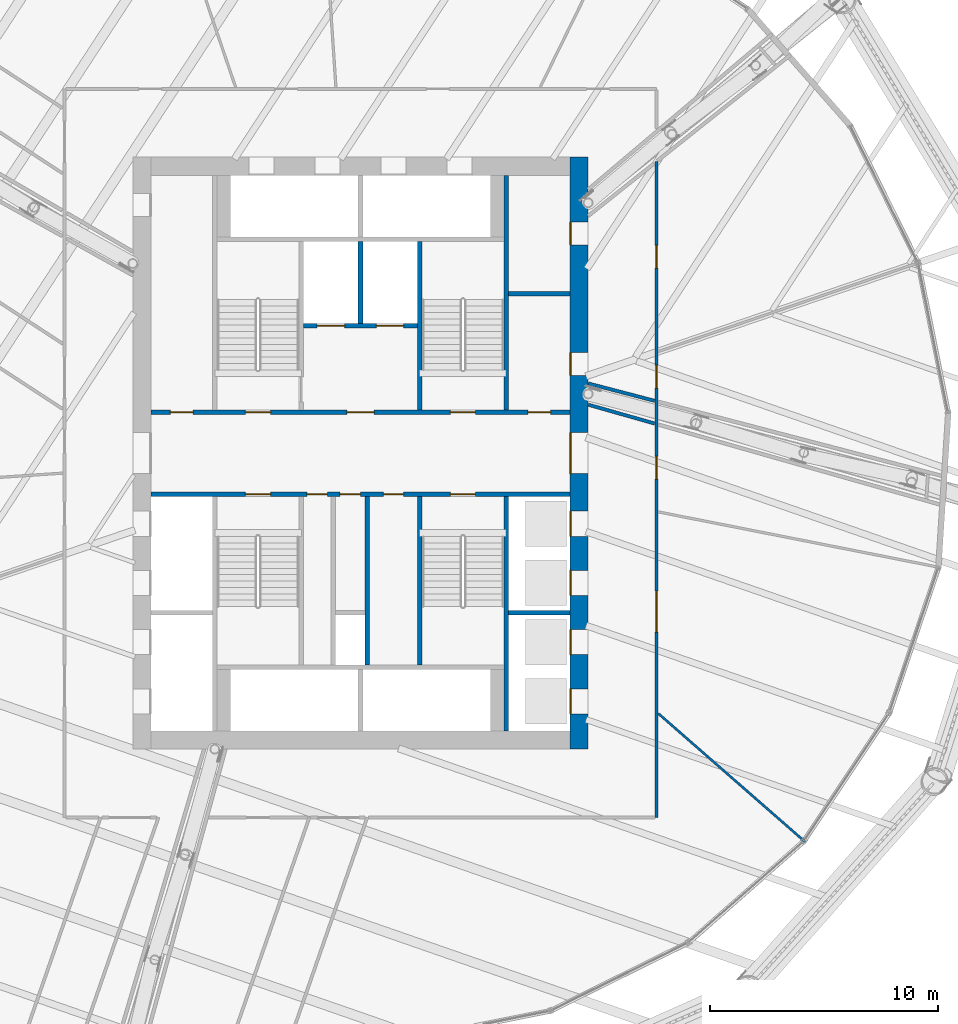
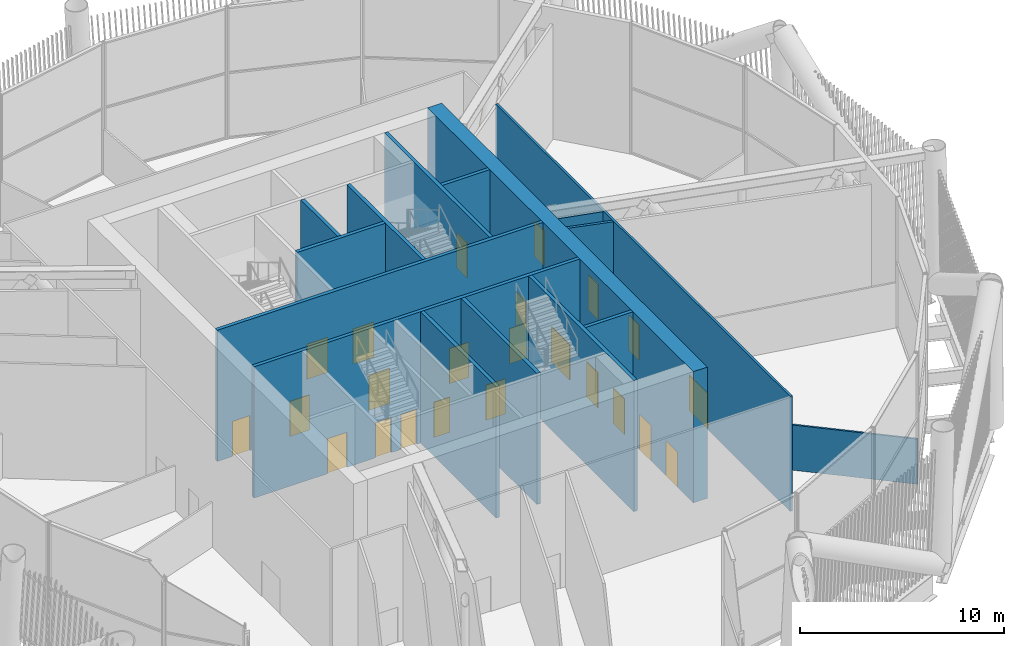
# One storey, part 40 of 63: 23 doors, 16 walls, 23 openings.
"""IFC4 building model written with IfcOpenShell, lengths in metres."""

from ifc_helpers import new_model, si_unit, direction, frame, frame_2d, origin, place, context, subcontext, project, spatial, rectangle, extrude, material, layer, layer_set, type_object, element, fill, save


model = new_model("IFC4")

# Units and contexts
model_context = context("Model", 3, precision=1e-05, world=origin(), true_north=direction((0.0, 1.0)))
body_context = subcontext(model_context, "Body", "Model", "MODEL_VIEW")
ifc_project = project(units=[si_unit("LENGTHUNIT", "METRE"), si_unit("AREAUNIT", "SQUARE_METRE"), si_unit("VOLUMEUNIT", "CUBIC_METRE"), si_unit("PLANEANGLEUNIT", "RADIAN"), si_unit("MASSUNIT", "GRAM", prefix="KILO")], contexts=[model_context])

# Site, building, storey
site_placement = place(None, origin())
site = spatial("IfcSite", under=ifc_project, at=site_placement, CompositionType="ELEMENT")
building_placement = place(site_placement, origin())
building = spatial("IfcBuilding", under=site, at=building_placement, Name="Tarsis Ring Headquarters", CompositionType="ELEMENT")
storey_placement = place(building_placement, frame((0.0, 0.0, 139.60009765625)))
storey = spatial("IfcBuildingStorey", under=building, at=storey_placement, Name="L32", CompositionType="ELEMENT", Elevation=139.60009765625)

# Walls
ifc_material_1 = material(Name="Blockwork", Category="masonry")
ifc_layer_1 = layer(ifc_material_1, 0.199951171875)
ifc_layer_set_1 = layer_set([ifc_layer_1], Name="Core blockwork wall 200")
wall_type_1 = type_object("IfcWallType", Name="Core blockwork wall 200", PredefinedType="PARTITIONING", material=ifc_layer_set_1)
wall_1_placement = place(storey_placement, frame((6.5, 7.0, 0.0), z_axis=(0.0, 0.0, 1.0), x_axis=(1.0, 0.0, 0.0)))
element("IfcWall", 1, at=wall_1_placement, inside=storey, type_object=wall_type_1, Name="Core partition ED6", PredefinedType="PARTITIONING", context=body_context, shape_type="SweptSolid", body=[
    extrude(rectangle(XDim=2.699951171875, YDim=0.199951171875, at=frame_2d((1.35009765625, 0.0))), origin(), (0.0, 0.0, 1.0), 7.83984375),
])
wall_2_placement = place(storey_placement, frame((0.300048828125, -9.300048828125, 0.0), z_axis=(0.0, 0.0, 1.0), x_axis=(0.0, 1.0, 0.0)))
element("IfcWall", 2, at=wall_2_placement, inside=storey, type_object=wall_type_1, Name="Core partition SV2", PredefinedType="PARTITIONING", context=body_context, shape_type="SweptSolid", body=[
    extrude(rectangle(XDim=7.400146484375, YDim=0.199951171875, at=frame_2d((3.7001953125, 0.0))), origin(), (0.0, 0.0, 1.0), 7.83984375),
])

# Wall, openings, doors
ifc_material_2 = material(Name="Concrete C60/75", Category="concrete")
ifc_layer_2 = layer(ifc_material_2, 0.800048828125)
ifc_layer_set_2 = layer_set([ifc_layer_2], Name="Core wall 800 C60/75")
wall_type_2 = type_object("IfcWallType", Name="Core wall 800 C60/75", PredefinedType="SHEAR", material=ifc_layer_set_2)
wall_3_placement = place(storey_placement, frame((9.60009765625, -13.0, 0.0), z_axis=(0.0, 0.0, 1.0), x_axis=(0.0, 1.0, 0.0)))
wall_3 = element("IfcWall", 3, at=wall_3_placement, inside=storey, type_object=wall_type_2, Name="Core wall OE", PredefinedType="SHEAR", context=body_context, shape_type="SweptSolid", body=[
    extrude(rectangle(XDim=26.0, YDim=0.800048828125, at=frame_2d((13.0, 0.0))), origin(), (0.0, 0.0, 1.0), 7.83984375),
])
opening_1_placement = place(wall_3_placement, frame((1.550048828125, 0.0, 0.0)))
opening_1 = element("IfcOpeningElement", 4, at=opening_1_placement, cuts=wall_3, Name="Opening LD-MR1", PredefinedType="OPENING", context=body_context, shape_type="SweptSolid", body=[
    extrude(rectangle(XDim=1.10009765625, YDim=2.10009765625, at=frame_2d((0.550048828125, 1.050048828125))), frame((0.0, 0.409912109375, 0.0), z_axis=(0.0, -1.0, 0.0), x_axis=(1.0, 0.0, 0.0)), (0.0, 0.0, 1.0), 0.820068359375),
])
opening_2_placement = place(wall_3_placement, frame((4.14990234375, 0.0, 0.0)))
opening_2 = element("IfcOpeningElement", 5, at=opening_2_placement, cuts=wall_3, Name="Opening LD-MR2", PredefinedType="OPENING", context=body_context, shape_type="SweptSolid", body=[
    extrude(rectangle(XDim=1.10009765625, YDim=2.10009765625, at=frame_2d((0.550048828125, 1.050048828125))), frame((0.0, 0.409912109375, 0.0), z_axis=(0.0, -1.0, 0.0), x_axis=(1.0, 0.0, 0.0)), (0.0, 0.0, 1.0), 0.820068359375),
])
opening_3_placement = place(wall_3_placement, frame((6.75, 0.0, 0.0)))
opening_3 = element("IfcOpeningElement", 6, at=opening_3_placement, cuts=wall_3, Name="Opening LD-MR3", PredefinedType="OPENING", context=body_context, shape_type="SweptSolid", body=[
    extrude(rectangle(XDim=1.10009765625, YDim=2.10009765625, at=frame_2d((0.550048828125, 1.050048828125))), frame((0.0, 0.409912109375, 0.0), z_axis=(0.0, -1.0, 0.0), x_axis=(1.0, 0.0, 0.0)), (0.0, 0.0, 1.0), 0.820068359375),
])
opening_4_placement = place(wall_3_placement, frame((9.35009765625, 0.0, 0.0)))
opening_4 = element("IfcOpeningElement", 7, at=opening_4_placement, cuts=wall_3, Name="Opening LD-MR4", PredefinedType="OPENING", context=body_context, shape_type="SweptSolid", body=[
    extrude(rectangle(XDim=1.10009765625, YDim=2.10009765625, at=frame_2d((0.550048828125, 1.050048828125))), frame((0.0, 0.409912109375, 0.0), z_axis=(0.0, -1.0, 0.0), x_axis=(1.0, 0.0, 0.0)), (0.0, 0.0, 1.0), 0.820068359375),
])
opening_5_placement = place(wall_3_placement, frame((12.10009765625, 0.0, 0.0)))
opening_5 = element("IfcOpeningElement", 8, at=opening_5_placement, cuts=wall_3, Name="Opening L32-C11", PredefinedType="OPENING", context=body_context, shape_type="SweptSolid", body=[
    extrude(rectangle(XDim=1.800048828125, YDim=2.10009765625, at=frame_2d((0.89990234375, 1.050048828125))), frame((0.0, 0.409912109375, 0.0), z_axis=(0.0, -1.0, 0.0), x_axis=(1.0, 0.0, 0.0)), (0.0, 0.0, 1.0), 0.820068359375),
])
opening_6_placement = place(wall_3_placement, frame((16.41796875, 0.0, 0.0)))
opening_6 = element("IfcOpeningElement", 9, at=opening_6_placement, cuts=wall_3, Name="Opening L32-C12", PredefinedType="OPENING", context=body_context, shape_type="SweptSolid", body=[
    extrude(rectangle(XDim=1.0, YDim=2.10009765625, at=frame_2d((0.5, 1.050048828125))), frame((0.0, 0.409912109375, 0.0), z_axis=(0.0, -1.0, 0.0), x_axis=(1.0, 0.0, 0.0)), (0.0, 0.0, 1.0), 0.820068359375),
])
opening_7_placement = place(wall_3_placement, frame((22.14990234375, 0.0, 0.0)))
opening_7 = element("IfcOpeningElement", 10, at=opening_7_placement, cuts=wall_3, Name="Opening L32-C13", PredefinedType="OPENING", context=body_context, shape_type="SweptSolid", body=[
    extrude(rectangle(XDim=1.0, YDim=2.10009765625, at=frame_2d((0.5, 1.050048828125))), frame((0.0, 0.409912109375, 0.0), z_axis=(0.0, -1.0, 0.0), x_axis=(1.0, 0.0, 0.0)), (0.0, 0.0, 1.0), 0.820068359375),
])
ifc_material_3 = material(Name="Steel S355", Category="steel")
door_type_1 = type_object("IfcDoorType", Name="Core entry door 1800x2100", OperationType="DOUBLE_DOOR_SINGLE_SWING", PredefinedType="DOOR", material=ifc_material_3)
door_1_placement = place(opening_5_placement, origin())
door_1 = element("IfcDoor", 11, at=door_1_placement, inside=storey, type_object=door_type_1, Name="Core entry door L32", OperationType="DOUBLE_DOOR_SINGLE_SWING", OverallHeight=2.10009765625, OverallWidth=1.800048828125, PredefinedType="DOOR", context=body_context, shape_type="SweptSolid", body=[
    extrude(rectangle(XDim=1.800048828125, YDim=2.10009765625, at=frame_2d((0.89990234375, 1.050048828125))), frame((0.0, 0.39990234375, 0.0), z_axis=(0.0, -1.0, 0.0), x_axis=(1.0, 0.0, 0.0)), (0.0, 0.0, 1.0), 0.050048828125),
])
fill(opening_5, door_1)
door_type_2 = type_object("IfcDoorType", Name="Core room door 1000x2100", OperationType="SINGLE_SWING_LEFT", PredefinedType="DOOR", material=ifc_material_3)
door_2_placement = place(opening_6_placement, origin())
door_2 = element("IfcDoor", 12, at=door_2_placement, inside=storey, type_object=door_type_2, Name="Core room door L32", OperationType="SINGLE_SWING_LEFT", OverallHeight=2.10009765625, OverallWidth=1.0, PredefinedType="DOOR", context=body_context, shape_type="SweptSolid", body=[
    extrude(rectangle(XDim=1.0, YDim=2.10009765625, at=frame_2d((0.5, 1.050048828125))), frame((0.0, 0.39990234375, 0.0), z_axis=(0.0, -1.0, 0.0), x_axis=(1.0, 0.0, 0.0)), (0.0, 0.0, 1.0), 0.050048828125),
])
fill(opening_6, door_2)
door_3_placement = place(opening_7_placement, origin())
door_3 = element("IfcDoor", 13, at=door_3_placement, inside=storey, type_object=door_type_2, Name="Core room door L32", OperationType="SINGLE_SWING_LEFT", OverallHeight=2.10009765625, OverallWidth=1.0, PredefinedType="DOOR", context=body_context, shape_type="SweptSolid", body=[
    extrude(rectangle(XDim=1.0, YDim=2.10009765625, at=frame_2d((0.5, 1.050048828125))), frame((0.0, 0.39990234375, 0.0), z_axis=(0.0, -1.0, 0.0), x_axis=(1.0, 0.0, 0.0)), (0.0, 0.0, 1.0), 0.050048828125),
])
fill(opening_7, door_3)
door_type_3 = type_object("IfcDoorType", Name="Landing door 1100x2100", OperationType="SLIDING_TO_LEFT", PredefinedType="DOOR", material=ifc_material_3)
door_4_placement = place(opening_1_placement, origin())
door_4 = element("IfcDoor", 14, at=door_4_placement, inside=storey, type_object=door_type_3, Name="Landing door MR1 L32", OperationType="SLIDING_TO_LEFT", OverallHeight=2.10009765625, OverallWidth=1.10009765625, PredefinedType="DOOR", context=body_context, shape_type="SweptSolid", body=[
    extrude(rectangle(XDim=1.10009765625, YDim=2.10009765625, at=frame_2d((0.550048828125, 1.050048828125))), frame((0.0, 0.39990234375, 0.0), z_axis=(0.0, -1.0, 0.0), x_axis=(1.0, 0.0, 0.0)), (0.0, 0.0, 1.0), 0.050048828125),
])
fill(opening_1, door_4)
door_5_placement = place(opening_2_placement, origin())
door_5 = element("IfcDoor", 15, at=door_5_placement, inside=storey, type_object=door_type_3, Name="Landing door MR2 L32", OperationType="SLIDING_TO_LEFT", OverallHeight=2.10009765625, OverallWidth=1.10009765625, PredefinedType="DOOR", context=body_context, shape_type="SweptSolid", body=[
    extrude(rectangle(XDim=1.10009765625, YDim=2.10009765625, at=frame_2d((0.550048828125, 1.050048828125))), frame((0.0, 0.39990234375, 0.0), z_axis=(0.0, -1.0, 0.0), x_axis=(1.0, 0.0, 0.0)), (0.0, 0.0, 1.0), 0.050048828125),
])
fill(opening_2, door_5)
door_6_placement = place(opening_3_placement, origin())
door_6 = element("IfcDoor", 16, at=door_6_placement, inside=storey, type_object=door_type_3, Name="Landing door MR3 L32", OperationType="SLIDING_TO_LEFT", OverallHeight=2.10009765625, OverallWidth=1.10009765625, PredefinedType="DOOR", context=body_context, shape_type="SweptSolid", body=[
    extrude(rectangle(XDim=1.10009765625, YDim=2.10009765625, at=frame_2d((0.550048828125, 1.050048828125))), frame((0.0, 0.39990234375, 0.0), z_axis=(0.0, -1.0, 0.0), x_axis=(1.0, 0.0, 0.0)), (0.0, 0.0, 1.0), 0.050048828125),
])
fill(opening_3, door_6)
door_7_placement = place(opening_4_placement, origin())
door_7 = element("IfcDoor", 17, at=door_7_placement, inside=storey, type_object=door_type_3, Name="Landing door MR4 L32", OperationType="SLIDING_TO_LEFT", OverallHeight=2.10009765625, OverallWidth=1.10009765625, PredefinedType="DOOR", context=body_context, shape_type="SweptSolid", body=[
    extrude(rectangle(XDim=1.10009765625, YDim=2.10009765625, at=frame_2d((0.550048828125, 1.050048828125))), frame((0.0, 0.39990234375, 0.0), z_axis=(0.0, -1.0, 0.0), x_axis=(1.0, 0.0, 0.0)), (0.0, 0.0, 1.0), 0.050048828125),
])
fill(opening_4, door_7)

# Wall
ifc_material_4 = material(Name="Gypsum board on steel studs", Category="steel")
ifc_layer_3 = layer(ifc_material_4, 0.10009765625)
ifc_layer_set_3 = layer_set([ifc_layer_3], Name="FL partition 100 unrated")
wall_type_3 = type_object("IfcWallType", Name="FL partition 100 unrated", PredefinedType="PARTITIONING", material=ifc_layer_set_3)
wall_4_placement = place(storey_placement, frame((13.082763671875, -11.43701171875, 0.0), z_axis=(0.0, 0.0, 1.0), x_axis=(0.752876598587, -0.658161703003, 0.0)))
element("IfcWall", 18, at=wall_4_placement, inside=storey, type_object=wall_type_3, Name="Partition PW3", PredefinedType="PARTITIONING", context=body_context, shape_type="SweptSolid", body=[
    extrude(rectangle(XDim=8.570556640625, YDim=0.10009765625, at=frame_2d((4.28515625, 0.0))), origin(), (0.0, 0.0, 1.0), 2.699951171875),
])

# Wall, openings, doors
ifc_layer_4 = layer(ifc_material_4, 0.125)
ifc_layer_set_4 = layer_set([ifc_layer_4], Name="FL partition 125 EI 60 H6870")
wall_type_4 = type_object("IfcWallType", Name="FL partition 125 EI 60 H6870", PredefinedType="PARTITIONING", material=ifc_layer_set_4)
wall_5_placement = place(storey_placement, frame((13.0, -15.998046875, 0.0), z_axis=(0.0, 0.0, 1.0), x_axis=(0.0, 1.0, 0.0)))
wall_5 = element("IfcWall", 19, at=wall_5_placement, inside=storey, type_object=wall_type_4, Name="Partition PW1H687", PredefinedType="PARTITIONING", context=body_context, shape_type="SweptSolid", body=[
    extrude(rectangle(XDim=28.8056640625, YDim=0.125, at=frame_2d((14.40283203125, 0.0))), origin(), (0.0, 0.0, 1.0), 6.869873046875),
])
opening_8_placement = place(wall_5_placement, frame((24.11962890625, 0.0, 0.0)))
opening_8 = element("IfcOpeningElement", 20, at=opening_8_placement, cuts=wall_5, Name="Opening D32.09", PredefinedType="OPENING", context=body_context, shape_type="SweptSolid", body=[
    extrude(rectangle(XDim=1.0, YDim=2.10009765625, at=frame_2d((0.5, 1.050048828125))), frame((0.0, 0.072509765625, 0.0), z_axis=(0.0, -1.0, 0.0), x_axis=(1.0, 0.0, 0.0)), (0.0, 0.0, 1.0), 0.14501953125),
])
opening_9_placement = place(wall_5_placement, frame((18.856201171875, 0.0, 0.0)))
opening_9 = element("IfcOpeningElement", 21, at=opening_9_placement, cuts=wall_5, Name="Opening D32.10", PredefinedType="OPENING", context=body_context, shape_type="SweptSolid", body=[
    extrude(rectangle(XDim=1.0, YDim=2.10009765625, at=frame_2d((0.5, 1.050048828125))), frame((0.0, 0.072509765625, 0.0), z_axis=(0.0, -1.0, 0.0), x_axis=(1.0, 0.0, 0.0)), (0.0, 0.0, 1.0), 0.14501953125),
])
opening_10_placement = place(wall_5_placement, frame((8.13330078125, 0.0, 0.0)))
opening_10 = element("IfcOpeningElement", 22, at=opening_10_placement, cuts=wall_5, Name="Opening D32.11", PredefinedType="OPENING", context=body_context, shape_type="SweptSolid", body=[
    extrude(rectangle(XDim=1.800048828125, YDim=2.10009765625, at=frame_2d((0.89990234375, 1.050048828125))), frame((0.0, 0.072509765625, 0.0), z_axis=(0.0, -1.0, 0.0), x_axis=(1.0, 0.0, 0.0)), (0.0, 0.0, 1.0), 0.14501953125),
])
opening_11_placement = place(wall_5_placement, frame((14.85595703125, 0.0, 0.0)))
opening_11 = element("IfcOpeningElement", 23, at=opening_11_placement, cuts=wall_5, Name="Opening D32.13", PredefinedType="OPENING", context=body_context, shape_type="SweptSolid", body=[
    extrude(rectangle(XDim=1.0, YDim=2.10009765625, at=frame_2d((0.5, 1.050048828125))), frame((0.0, 0.072509765625, 0.0), z_axis=(0.0, -1.0, 0.0), x_axis=(1.0, 0.0, 0.0)), (0.0, 0.0, 1.0), 0.14501953125),
])
ifc_material_5 = material(Name="Fire-rated timber door leaf in steel frame", Category="steel")
door_type_4 = type_object("IfcDoorType", Name="FL door FD60-1000", OperationType="NOTDEFINED", PredefinedType="DOOR", material=ifc_material_5)
door_8_placement = place(opening_8_placement, origin())
door_8 = element("IfcDoor", 24, at=door_8_placement, inside=storey, type_object=door_type_4, Name="Door D32.09", OperationType="SINGLE_SWING_LEFT", OverallHeight=2.10009765625, OverallWidth=1.0, PredefinedType="DOOR", context=body_context, shape_type="SweptSolid", body=[
    extrude(rectangle(XDim=1.0, YDim=2.10009765625, at=frame_2d((0.5, 1.050048828125))), frame((0.0, 0.02490234375, 0.0), z_axis=(0.0, -1.0, 0.0), x_axis=(1.0, 0.0, 0.0)), (0.0, 0.0, 1.0), 0.050048828125),
])
fill(opening_8, door_8)
door_9_placement = place(opening_9_placement, origin())
door_9 = element("IfcDoor", 25, at=door_9_placement, inside=storey, type_object=door_type_4, Name="Door D32.10", OperationType="SINGLE_SWING_RIGHT", OverallHeight=2.10009765625, OverallWidth=1.0, PredefinedType="DOOR", context=body_context, shape_type="SweptSolid", body=[
    extrude(rectangle(XDim=1.0, YDim=2.10009765625, at=frame_2d((0.5, 1.050048828125))), frame((0.0, 0.02490234375, 0.0), z_axis=(0.0, -1.0, 0.0), x_axis=(1.0, 0.0, 0.0)), (0.0, 0.0, 1.0), 0.050048828125),
])
fill(opening_9, door_9)
door_10_placement = place(opening_11_placement, origin())
door_10 = element("IfcDoor", 26, at=door_10_placement, inside=storey, type_object=door_type_4, Name="Door D32.13", OperationType="SINGLE_SWING_LEFT", OverallHeight=2.10009765625, OverallWidth=1.0, PredefinedType="DOOR", context=body_context, shape_type="SweptSolid", body=[
    extrude(rectangle(XDim=1.0, YDim=2.10009765625, at=frame_2d((0.5, 1.050048828125))), frame((0.0, 0.02490234375, 0.0), z_axis=(0.0, -1.0, 0.0), x_axis=(1.0, 0.0, 0.0)), (0.0, 0.0, 1.0), 0.050048828125),
])
fill(opening_11, door_10)
door_type_5 = type_object("IfcDoorType", Name="FL door FD60-1800", OperationType="DOUBLE_DOOR_SINGLE_SWING", PredefinedType="DOOR", material=ifc_material_5)
door_11_placement = place(opening_10_placement, origin())
door_11 = element("IfcDoor", 27, at=door_11_placement, inside=storey, type_object=door_type_5, Name="Door D32.11", OperationType="DOUBLE_DOOR_SINGLE_SWING", OverallHeight=2.10009765625, OverallWidth=1.800048828125, PredefinedType="DOOR", context=body_context, shape_type="SweptSolid", body=[
    extrude(rectangle(XDim=1.800048828125, YDim=2.10009765625, at=frame_2d((0.89990234375, 1.050048828125))), frame((0.0, 0.02490234375, 0.0), z_axis=(0.0, -1.0, 0.0), x_axis=(1.0, 0.0, 0.0)), (0.0, 0.0, 1.0), 0.050048828125),
])
fill(opening_10, door_11)

# Walls
ifc_layer_5 = layer(ifc_material_4, 0.14990234375)
ifc_layer_set_5 = layer_set([ifc_layer_5], Name="FL partition 150 EI 120 H6870")
wall_type_5 = type_object("IfcWallType", Name="FL partition 150 EI 120 H6870", PredefinedType="PARTITIONING", material=ifc_layer_set_5)
wall_6_placement = place(storey_placement, frame((9.999267578125, 2.129638671875, 0.0), z_axis=(0.0, 0.0, 1.0), x_axis=(0.961981270275, -0.273115425491, 0.0)))
element("IfcWall", 28, at=wall_6_placement, inside=storey, type_object=wall_type_5, Name="Partition PW2H687", PredefinedType="PARTITIONING", context=body_context, shape_type="SweptSolid", body=[
    extrude(rectangle(XDim=3.032958984375, YDim=0.14990234375, at=frame_2d((1.5166015625, 0.0))), origin(), (0.0, 0.0, 1.0), 6.869873046875),
])
wall_7_placement = place(storey_placement, frame((9.998779296875, 3.060791015625, 0.0), z_axis=(0.0, 0.0, 1.0), x_axis=(0.967473645291, -0.252971827814, 0.0)))
element("IfcWall", 29, at=wall_7_placement, inside=storey, type_object=wall_type_5, Name="Partition PW2H687", PredefinedType="PARTITIONING", context=body_context, shape_type="SweptSolid", body=[
    extrude(rectangle(XDim=3.017822265625, YDim=0.14990234375, at=frame_2d((1.5087890625, 0.0))), origin(), (0.0, 0.0, 1.0), 6.869873046875),
])

# Wall, openings, doors
ifc_material_6 = material(Name="Concrete C32/40", Category="concrete")
ifc_layer_6 = layer(ifc_material_6, 0.199951171875)
ifc_layer_set_6 = layer_set([ifc_layer_6], Name="Shaft wall 200 C32/40")
wall_type_6 = type_object("IfcWallType", Name="Shaft wall 200 C32/40", PredefinedType="SOLIDWALL", material=ifc_layer_set_6)
wall_8_placement = place(storey_placement, frame((-9.199951171875, 1.800048828125, 0.0), z_axis=(0.0, 0.0, 1.0), x_axis=(1.0, 0.0, 0.0)))
wall_8 = element("IfcWall", 30, at=wall_8_placement, inside=storey, type_object=wall_type_6, Name="Core shaft wall CN", PredefinedType="SOLIDWALL", context=body_context, shape_type="SweptSolid", body=[
    extrude(rectangle(XDim=18.39990234375, YDim=0.199951171875, at=frame_2d((9.199951171875, 0.0))), origin(), (0.0, 0.0, 1.0), 7.83984375),
])
opening_12_placement = place(wall_8_placement, frame((0.85009765625, 0.0, 0.0)))
opening_12 = element("IfcOpeningElement", 31, at=opening_12_placement, cuts=wall_8, Name="Opening L32-C18", PredefinedType="OPENING", context=body_context, shape_type="SweptSolid", body=[
    extrude(rectangle(XDim=1.0, YDim=2.10009765625, at=frame_2d((0.5, 1.050048828125))), frame((0.0, 0.10986328125, 0.0), z_axis=(0.0, -1.0, 0.0), x_axis=(1.0, 0.0, 0.0)), (0.0, 0.0, 1.0), 0.219970703125),
])
opening_13_placement = place(wall_8_placement, frame((4.14990234375, 0.0, 0.0)))
opening_13 = element("IfcOpeningElement", 32, at=opening_13_placement, cuts=wall_8, Name="Opening L32-C19", PredefinedType="OPENING", context=body_context, shape_type="SweptSolid", body=[
    extrude(rectangle(XDim=1.10009765625, YDim=2.10009765625, at=frame_2d((0.550048828125, 1.050048828125))), frame((0.0, 0.10986328125, 0.0), z_axis=(0.0, -1.0, 0.0), x_axis=(1.0, 0.0, 0.0)), (0.0, 0.0, 1.0), 0.219970703125),
])
opening_14_placement = place(wall_8_placement, frame((8.60009765625, 0.0, 0.0)))
opening_14 = element("IfcOpeningElement", 33, at=opening_14_placement, cuts=wall_8, Name="Opening L32-C20", PredefinedType="OPENING", context=body_context, shape_type="SweptSolid", body=[
    extrude(rectangle(XDim=1.199951171875, YDim=2.10009765625, at=frame_2d((0.60009765625, 1.050048828125))), frame((0.0, 0.10986328125, 0.0), z_axis=(0.0, -1.0, 0.0), x_axis=(1.0, 0.0, 0.0)), (0.0, 0.0, 1.0), 0.219970703125),
])
opening_15_placement = place(wall_8_placement, frame((13.14990234375, 0.0, 0.0)))
opening_15 = element("IfcOpeningElement", 34, at=opening_15_placement, cuts=wall_8, Name="Opening L32-C21", PredefinedType="OPENING", context=body_context, shape_type="SweptSolid", body=[
    extrude(rectangle(XDim=1.10009765625, YDim=2.10009765625, at=frame_2d((0.550048828125, 1.050048828125))), frame((0.0, 0.10986328125, 0.0), z_axis=(0.0, -1.0, 0.0), x_axis=(1.0, 0.0, 0.0)), (0.0, 0.0, 1.0), 0.219970703125),
])
opening_16_placement = place(wall_8_placement, frame((16.550048828125, 0.0, 0.0)))
opening_16 = element("IfcOpeningElement", 35, at=opening_16_placement, cuts=wall_8, Name="Opening L32-C22", PredefinedType="OPENING", context=body_context, shape_type="SweptSolid", body=[
    extrude(rectangle(XDim=1.0, YDim=2.10009765625, at=frame_2d((0.5, 1.050048828125))), frame((0.0, 0.10986328125, 0.0), z_axis=(0.0, -1.0, 0.0), x_axis=(1.0, 0.0, 0.0)), (0.0, 0.0, 1.0), 0.219970703125),
])
door_12_placement = place(opening_12_placement, origin())
door_12 = element("IfcDoor", 36, at=door_12_placement, inside=storey, type_object=door_type_2, Name="Core room door L32", OperationType="SINGLE_SWING_LEFT", OverallHeight=2.10009765625, OverallWidth=1.0, PredefinedType="DOOR", context=body_context, shape_type="SweptSolid", body=[
    extrude(rectangle(XDim=1.0, YDim=2.10009765625, at=frame_2d((0.5, 1.050048828125))), frame((0.0, 0.02490234375, 0.0), z_axis=(0.0, -1.0, 0.0), x_axis=(1.0, 0.0, 0.0)), (0.0, 0.0, 1.0), 0.050048828125),
])
fill(opening_12, door_12)
door_13_placement = place(opening_16_placement, origin())
door_13 = element("IfcDoor", 37, at=door_13_placement, inside=storey, type_object=door_type_2, Name="Core room door L32", OperationType="SINGLE_SWING_LEFT", OverallHeight=2.10009765625, OverallWidth=1.0, PredefinedType="DOOR", context=body_context, shape_type="SweptSolid", body=[
    extrude(rectangle(XDim=1.0, YDim=2.10009765625, at=frame_2d((0.5, 1.050048828125))), frame((0.0, 0.02490234375, 0.0), z_axis=(0.0, -1.0, 0.0), x_axis=(1.0, 0.0, 0.0)), (0.0, 0.0, 1.0), 0.050048828125),
])
fill(opening_16, door_13)
door_type_6 = type_object("IfcDoorType", Name="Firefighting lobby door 1200x2100", OperationType="DOUBLE_DOOR_SINGLE_SWING", PredefinedType="DOOR", material=ifc_material_3)
door_14_placement = place(opening_14_placement, origin())
door_14 = element("IfcDoor", 38, at=door_14_placement, inside=storey, type_object=door_type_6, Name="Firefighting lobby door L32", OperationType="DOUBLE_DOOR_SINGLE_SWING", OverallHeight=2.10009765625, OverallWidth=1.199951171875, PredefinedType="DOOR", context=body_context, shape_type="SweptSolid", body=[
    extrude(rectangle(XDim=1.199951171875, YDim=2.10009765625, at=frame_2d((0.60009765625, 1.050048828125))), frame((0.0, 0.02490234375, 0.0), z_axis=(0.0, -1.0, 0.0), x_axis=(1.0, 0.0, 0.0)), (0.0, 0.0, 1.0), 0.050048828125),
])
fill(opening_14, door_14)
door_type_7 = type_object("IfcDoorType", Name="Stair door 1100x2100", OperationType="SINGLE_SWING_LEFT", PredefinedType="DOOR", material=ifc_material_3)
door_15_placement = place(opening_13_placement, origin())
door_15 = element("IfcDoor", 39, at=door_15_placement, inside=storey, type_object=door_type_7, Name="Stair door L32", OperationType="SINGLE_SWING_LEFT", OverallHeight=2.10009765625, OverallWidth=1.10009765625, PredefinedType="DOOR", context=body_context, shape_type="SweptSolid", body=[
    extrude(rectangle(XDim=1.10009765625, YDim=2.10009765625, at=frame_2d((0.550048828125, 1.050048828125))), frame((0.0, 0.02490234375, 0.0), z_axis=(0.0, -1.0, 0.0), x_axis=(1.0, 0.0, 0.0)), (0.0, 0.0, 1.0), 0.050048828125),
])
fill(opening_13, door_15)
door_16_placement = place(opening_15_placement, origin())
door_16 = element("IfcDoor", 40, at=door_16_placement, inside=storey, type_object=door_type_7, Name="Stair door L32", OperationType="SINGLE_SWING_LEFT", OverallHeight=2.10009765625, OverallWidth=1.10009765625, PredefinedType="DOOR", context=body_context, shape_type="SweptSolid", body=[
    extrude(rectangle(XDim=1.10009765625, YDim=2.10009765625, at=frame_2d((0.550048828125, 1.050048828125))), frame((0.0, 0.02490234375, 0.0), z_axis=(0.0, -1.0, 0.0), x_axis=(1.0, 0.0, 0.0)), (0.0, 0.0, 1.0), 0.050048828125),
])
fill(opening_15, door_16)

wall_9_placement = place(storey_placement, frame((-9.199951171875, -1.800048828125, 0.0), z_axis=(0.0, 0.0, 1.0), x_axis=(1.0, 0.0, 0.0)))
wall_9 = element("IfcWall", 41, at=wall_9_placement, inside=storey, type_object=wall_type_6, Name="Core shaft wall CS", PredefinedType="SOLIDWALL", context=body_context, shape_type="SweptSolid", body=[
    extrude(rectangle(XDim=18.39990234375, YDim=0.199951171875, at=frame_2d((9.199951171875, 0.0))), origin(), (0.0, 0.0, 1.0), 7.83984375),
])
opening_17_placement = place(wall_9_placement, frame((4.14990234375, 0.0, 0.0)))
opening_17 = element("IfcOpeningElement", 42, at=opening_17_placement, cuts=wall_9, Name="Opening L32-C23", PredefinedType="OPENING", context=body_context, shape_type="SweptSolid", body=[
    extrude(rectangle(XDim=1.10009765625, YDim=2.10009765625, at=frame_2d((0.550048828125, 1.050048828125))), frame((0.0, 0.10986328125, 0.0), z_axis=(0.0, -1.0, 0.0), x_axis=(1.0, 0.0, 0.0)), (0.0, 0.0, 1.0), 0.219970703125),
])
opening_18_placement = place(wall_9_placement, frame((6.85009765625, 0.0, 0.0)))
opening_18 = element("IfcOpeningElement", 43, at=opening_18_placement, cuts=wall_9, Name="Opening L32-C24", PredefinedType="OPENING", context=body_context, shape_type="SweptSolid", body=[
    extrude(rectangle(XDim=0.89990234375, YDim=2.10009765625, at=frame_2d((0.449951171875, 1.050048828125))), frame((0.0, 0.10986328125, 0.0), z_axis=(0.0, -1.0, 0.0), x_axis=(1.0, 0.0, 0.0)), (0.0, 0.0, 1.0), 0.219970703125),
])
opening_19_placement = place(wall_9_placement, frame((8.300048828125, 0.0, 0.0)))
opening_19 = element("IfcOpeningElement", 44, at=opening_19_placement, cuts=wall_9, Name="Opening L32-C25", PredefinedType="OPENING", context=body_context, shape_type="SweptSolid", body=[
    extrude(rectangle(XDim=0.89990234375, YDim=2.10009765625, at=frame_2d((0.449951171875, 1.050048828125))), frame((0.0, 0.10986328125, 0.0), z_axis=(0.0, -1.0, 0.0), x_axis=(1.0, 0.0, 0.0)), (0.0, 0.0, 1.0), 0.219970703125),
])
opening_20_placement = place(wall_9_placement, frame((10.199951171875, 0.0, 0.0)))
opening_20 = element("IfcOpeningElement", 45, at=opening_20_placement, cuts=wall_9, Name="Opening L32-C26", PredefinedType="OPENING", context=body_context, shape_type="SweptSolid", body=[
    extrude(rectangle(XDim=0.89990234375, YDim=2.10009765625, at=frame_2d((0.449951171875, 1.050048828125))), frame((0.0, 0.10986328125, 0.0), z_axis=(0.0, -1.0, 0.0), x_axis=(1.0, 0.0, 0.0)), (0.0, 0.0, 1.0), 0.219970703125),
])
opening_21_placement = place(wall_9_placement, frame((13.14990234375, 0.0, 0.0)))
opening_21 = element("IfcOpeningElement", 46, at=opening_21_placement, cuts=wall_9, Name="Opening L32-C27", PredefinedType="OPENING", context=body_context, shape_type="SweptSolid", body=[
    extrude(rectangle(XDim=1.10009765625, YDim=2.10009765625, at=frame_2d((0.550048828125, 1.050048828125))), frame((0.0, 0.10986328125, 0.0), z_axis=(0.0, -1.0, 0.0), x_axis=(1.0, 0.0, 0.0)), (0.0, 0.0, 1.0), 0.219970703125),
])
door_17_placement = place(opening_17_placement, origin())
door_17 = element("IfcDoor", 47, at=door_17_placement, inside=storey, type_object=door_type_7, Name="Stair door L32", OperationType="SINGLE_SWING_LEFT", OverallHeight=2.10009765625, OverallWidth=1.10009765625, PredefinedType="DOOR", context=body_context, shape_type="SweptSolid", body=[
    extrude(rectangle(XDim=1.10009765625, YDim=2.10009765625, at=frame_2d((0.550048828125, 1.050048828125))), frame((0.0, 0.02490234375, 0.0), z_axis=(0.0, -1.0, 0.0), x_axis=(1.0, 0.0, 0.0)), (0.0, 0.0, 1.0), 0.050048828125),
])
fill(opening_17, door_17)
door_18_placement = place(opening_21_placement, origin())
door_18 = element("IfcDoor", 48, at=door_18_placement, inside=storey, type_object=door_type_7, Name="Stair door L32", OperationType="SINGLE_SWING_LEFT", OverallHeight=2.10009765625, OverallWidth=1.10009765625, PredefinedType="DOOR", context=body_context, shape_type="SweptSolid", body=[
    extrude(rectangle(XDim=1.10009765625, YDim=2.10009765625, at=frame_2d((0.550048828125, 1.050048828125))), frame((0.0, 0.02490234375, 0.0), z_axis=(0.0, -1.0, 0.0), x_axis=(1.0, 0.0, 0.0)), (0.0, 0.0, 1.0), 0.050048828125),
])
fill(opening_21, door_18)
door_type_8 = type_object("IfcDoorType", Name="WC door 900x2100", OperationType="SINGLE_SWING_LEFT", PredefinedType="DOOR", material=ifc_material_3)
door_19_placement = place(opening_18_placement, origin())
door_19 = element("IfcDoor", 49, at=door_19_placement, inside=storey, type_object=door_type_8, Name="WC door L32", OperationType="SINGLE_SWING_LEFT", OverallHeight=2.10009765625, OverallWidth=0.89990234375, PredefinedType="DOOR", context=body_context, shape_type="SweptSolid", body=[
    extrude(rectangle(XDim=0.89990234375, YDim=2.10009765625, at=frame_2d((0.449951171875, 1.050048828125))), frame((0.0, 0.02490234375, 0.0), z_axis=(0.0, -1.0, 0.0), x_axis=(1.0, 0.0, 0.0)), (0.0, 0.0, 1.0), 0.050048828125),
])
fill(opening_18, door_19)
door_20_placement = place(opening_19_placement, origin())
door_20 = element("IfcDoor", 50, at=door_20_placement, inside=storey, type_object=door_type_8, Name="WC door L32", OperationType="SINGLE_SWING_LEFT", OverallHeight=2.10009765625, OverallWidth=0.89990234375, PredefinedType="DOOR", context=body_context, shape_type="SweptSolid", body=[
    extrude(rectangle(XDim=0.89990234375, YDim=2.10009765625, at=frame_2d((0.449951171875, 1.050048828125))), frame((0.0, 0.02490234375, 0.0), z_axis=(0.0, -1.0, 0.0), x_axis=(1.0, 0.0, 0.0)), (0.0, 0.0, 1.0), 0.050048828125),
])
fill(opening_19, door_20)
door_21_placement = place(opening_20_placement, origin())
door_21 = element("IfcDoor", 51, at=door_21_placement, inside=storey, type_object=door_type_8, Name="WC door L32", OperationType="SINGLE_SWING_LEFT", OverallHeight=2.10009765625, OverallWidth=0.89990234375, PredefinedType="DOOR", context=body_context, shape_type="SweptSolid", body=[
    extrude(rectangle(XDim=0.89990234375, YDim=2.10009765625, at=frame_2d((0.449951171875, 1.050048828125))), frame((0.0, 0.02490234375, 0.0), z_axis=(0.0, -1.0, 0.0), x_axis=(1.0, 0.0, 0.0)), (0.0, 0.0, 1.0), 0.050048828125),
])
fill(opening_20, door_21)

# Walls
for number, where, z_axis, x_axis, name in (
    (52, (6.39990234375, -12.199951171875, 0.0), (0.0, 0.0, 1.0), (0.0, 1.0, 0.0), "Core shaft wall EB1"),
    (53, (6.39990234375, 1.89990234375, 0.0), (0.0, 0.0, 1.0), (0.0, 1.0, 0.0), "Core shaft wall EB2"),
):
    element("IfcWall", number, at=place(storey_placement, frame(where, z_axis=z_axis, x_axis=x_axis)), inside=storey, type_object=wall_type_6, Name=name, PredefinedType="SOLIDWALL", context=body_context, shape_type="SweptSolid", body=[
        extrude(rectangle(XDim=10.300048828125, YDim=0.199951171875, at=frame_2d((5.14990234375, 0.0))), origin(), (0.0, 0.0, 1.0), 7.83984375),
    ])
for number, where, z_axis, x_axis, name in (
    (54, (2.60009765625, 1.89990234375, 0.0), (0.0, 0.0, 1.0), (0.0, 1.0, 0.0), "Core shaft wall SW2"),
    (55, (2.60009765625, -9.300048828125, 0.0), (0.0, 0.0, 1.0), (0.0, 1.0, 0.0), "Core shaft wall SW4"),
):
    element("IfcWall", number, at=place(storey_placement, frame(where, z_axis=z_axis, x_axis=x_axis)), inside=storey, type_object=wall_type_6, Name=name, PredefinedType="SOLIDWALL", context=body_context, shape_type="SweptSolid", body=[
        extrude(rectangle(XDim=7.400146484375, YDim=0.199951171875, at=frame_2d((3.7001953125, 0.0))), origin(), (0.0, 0.0, 1.0), 7.83984375),
    ])

# Wall, openings, doors
wall_10_placement = place(storey_placement, frame((-2.5, 5.60009765625, 0.0), z_axis=(0.0, 0.0, 1.0), x_axis=(1.0, 0.0, 0.0)))
wall_10 = element("IfcWall", 56, at=wall_10_placement, inside=storey, type_object=wall_type_6, Name="Core shaft wall FFN", PredefinedType="SOLIDWALL", context=body_context, shape_type="SweptSolid", body=[
    extrude(rectangle(XDim=5.0, YDim=0.199951171875, at=frame_2d((2.5, 0.0))), origin(), (0.0, 0.0, 1.0), 7.83984375),
])
opening_22_placement = place(wall_10_placement, frame((0.60009765625, 0.0, 0.0)))
opening_22 = element("IfcOpeningElement", 57, at=opening_22_placement, cuts=wall_10, Name="Opening LDF-1", PredefinedType="OPENING", context=body_context, shape_type="SweptSolid", body=[
    extrude(rectangle(XDim=1.199951171875, YDim=2.10009765625, at=frame_2d((0.60009765625, 1.050048828125))), frame((0.0, 0.10986328125, 0.0), z_axis=(0.0, -1.0, 0.0), x_axis=(1.0, 0.0, 0.0)), (0.0, 0.0, 1.0), 0.219970703125),
])
opening_23_placement = place(wall_10_placement, frame((3.199951171875, 0.0, 0.0)))
opening_23 = element("IfcOpeningElement", 58, at=opening_23_placement, cuts=wall_10, Name="Opening LDF-2", PredefinedType="OPENING", context=body_context, shape_type="SweptSolid", body=[
    extrude(rectangle(XDim=1.199951171875, YDim=2.10009765625, at=frame_2d((0.60009765625, 1.050048828125))), frame((0.0, 0.10986328125, 0.0), z_axis=(0.0, -1.0, 0.0), x_axis=(1.0, 0.0, 0.0)), (0.0, 0.0, 1.0), 0.219970703125),
])
door_type_9 = type_object("IfcDoorType", Name="Firefighting landing door 1200x2100", OperationType="SLIDING_TO_LEFT", PredefinedType="DOOR", material=ifc_material_3)
door_22_placement = place(opening_22_placement, origin())
door_22 = element("IfcDoor", 59, at=door_22_placement, inside=storey, type_object=door_type_9, Name="Landing door FF1 L32", OperationType="SLIDING_TO_LEFT", OverallHeight=2.10009765625, OverallWidth=1.199951171875, PredefinedType="DOOR", context=body_context, shape_type="SweptSolid", body=[
    extrude(rectangle(XDim=1.199951171875, YDim=2.10009765625, at=frame_2d((0.60009765625, 1.050048828125))), frame((0.0, 0.02490234375, 0.0), z_axis=(0.0, -1.0, 0.0), x_axis=(1.0, 0.0, 0.0)), (0.0, 0.0, 1.0), 0.050048828125),
])
fill(opening_22, door_22)
door_23_placement = place(opening_23_placement, origin())
door_23 = element("IfcDoor", 60, at=door_23_placement, inside=storey, type_object=door_type_9, Name="Landing door FF2 L32", OperationType="SLIDING_TO_LEFT", OverallHeight=2.10009765625, OverallWidth=1.199951171875, PredefinedType="DOOR", context=body_context, shape_type="SweptSolid", body=[
    extrude(rectangle(XDim=1.199951171875, YDim=2.10009765625, at=frame_2d((0.60009765625, 1.050048828125))), frame((0.0, 0.02490234375, 0.0), z_axis=(0.0, -1.0, 0.0), x_axis=(1.0, 0.0, 0.0)), (0.0, 0.0, 1.0), 0.050048828125),
])
fill(opening_23, door_23)

# Walls
wall_11_placement = place(storey_placement, frame((0.0, 5.699951171875, 0.0), z_axis=(0.0, 0.0, 1.0), x_axis=(0.0, 1.0, 0.0)))
element("IfcWall", 61, at=wall_11_placement, inside=storey, type_object=wall_type_6, Name="Core shaft wall FFD", PredefinedType="SOLIDWALL", context=body_context, shape_type="SweptSolid", body=[
    extrude(rectangle(XDim=3.60009765625, YDim=0.199951171875, at=frame_2d((1.800048828125, 0.0))), origin(), (0.0, 0.0, 1.0), 7.83984375),
])
wall_12_placement = place(storey_placement, frame((6.5, -7.0, 0.0), z_axis=(0.0, 0.0, 1.0), x_axis=(1.0, 0.0, 0.0)))
element("IfcWall", 62, at=wall_12_placement, inside=storey, type_object=wall_type_6, Name="Core shaft wall ED2", PredefinedType="SOLIDWALL", context=body_context, shape_type="SweptSolid", body=[
    extrude(rectangle(XDim=2.699951171875, YDim=0.199951171875, at=frame_2d((1.35009765625, 0.0))), origin(), (0.0, 0.0, 1.0), 7.83984375),
])

save(model, "model.ifc")
